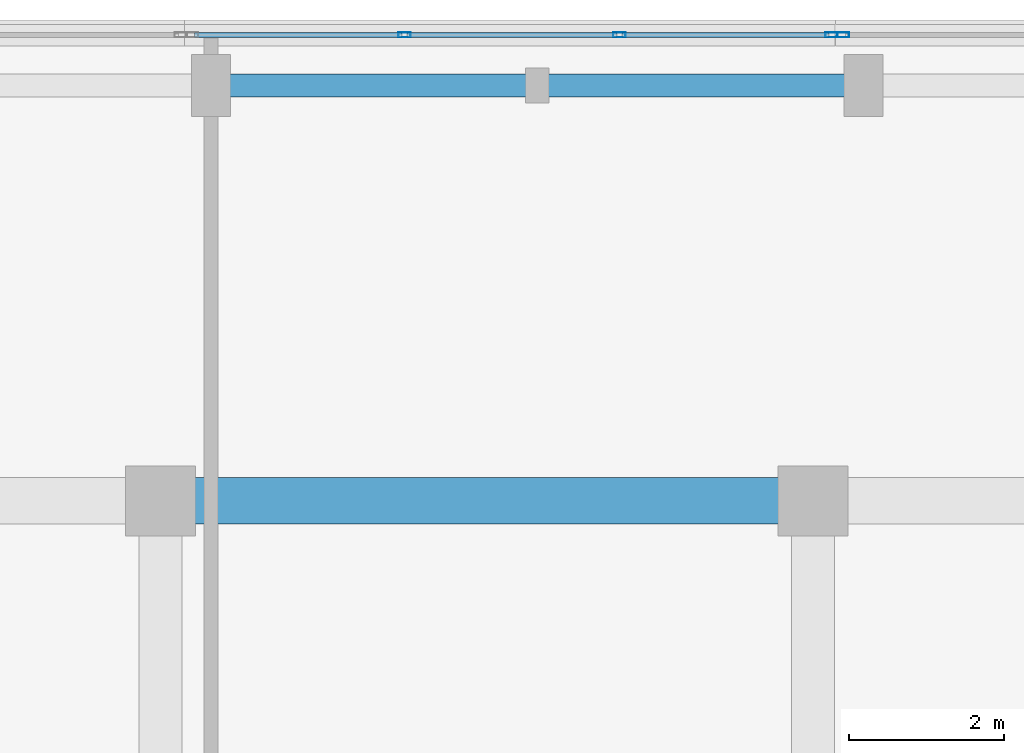
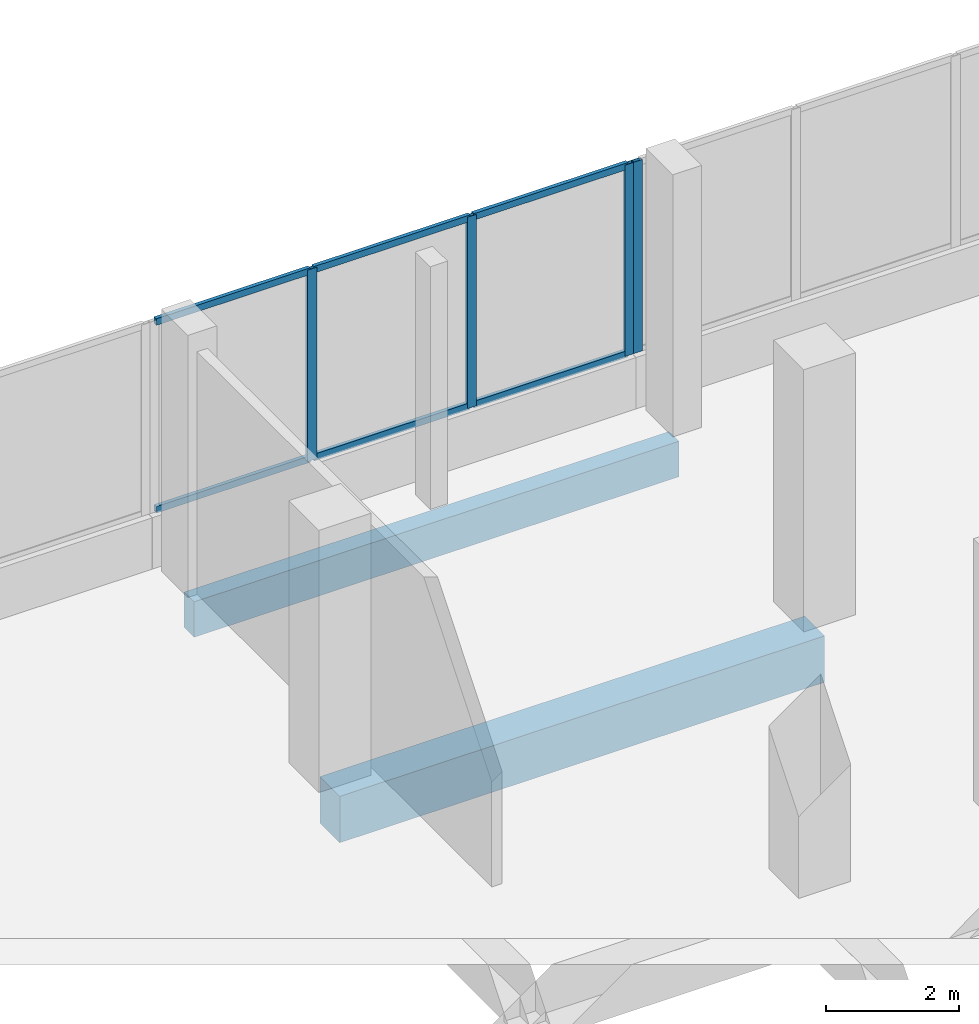
# One storey, part 119 of 168: 10 members, 2 beams, 2 elements without a shape of their own.
"""IFC4 building model written with IfcOpenShell, lengths in metres."""

import ifcopenshell
import ifcopenshell.guid

model = None  # the IFC model being written
_history = None  # IfcOwnerHistory: only IFC2X3 demands one
_inside = {}  # id of a spatial element -> (the spatial element, [elements in it])
_under = {}  # id of a project, library or spatial element -> (it, [spatial elements below it])
_declared = {}  # id of a project -> (the project, [libraries it declares])
_typed = {}  # id of a type object -> (the type object, [elements of that type])
_made_of = {}  # id of a material, layer set ... -> (it, [elements and type objects made of it])


def new_model(schema):
    """Start an empty IFC model of exactly this schema.

    Asked for "IFC4X3", IfcOpenShell would pick the latest addendum, in which some entities
    have other attributes; the version numbers below select the first issue.
    IFC2X3 requires an IfcOwnerHistory on every rooted entity: one is made here for all.
    """
    global model, _history
    if schema == "IFC4X3":
        model = ifcopenshell.file(schema_version=(4, 3, 0, 0))
    else:
        model = ifcopenshell.file(schema=schema)
    _inside.clear()
    _under.clear()
    _declared.clear()
    _typed.clear()
    _made_of.clear()
    _history = None
    if model.schema == "IFC2X3":
        org = make("IfcOrganization", Name="unknown")
        user = make(
            "IfcPersonAndOrganization",
            ThePerson=make("IfcPerson", FamilyName="unknown"),
            TheOrganization=org,
        )
        app = make(
            "IfcApplication",
            ApplicationDeveloper=org,
            Version="unknown",
            ApplicationFullName="unknown",
            ApplicationIdentifier="unknown",
        )
        _history = make(
            "IfcOwnerHistory",
            OwningUser=user,
            OwningApplication=app,
            ChangeAction="ADDED",
            CreationDate=0,
        )
    return model


def make(cls, **values):
    """One entity of the class cls with the attributes given. An attribute that is None is left unset."""
    return model.create_entity(
        cls, **{name: value for name, value in values.items() if value is not None}
    )


def rooted(cls, **values):
    """An entity with a GlobalId (a new one), such as an element, a storey or a relation."""
    return make(cls, GlobalId=ifcopenshell.guid.new(), OwnerHistory=_history, **values)


def si_unit(unit_type, name, prefix=None):
    """IfcSIUnit, for example si_unit("LENGTHUNIT", "METRE", prefix="MILLI")."""
    return make("IfcSIUnit", UnitType=unit_type, Prefix=prefix, Name=name)


def assignment(units):
    """IfcUnitAssignment: the units of a project."""
    return None if units is None else make("IfcUnitAssignment", Units=units)


def point(xyz):
    """IfcCartesianPoint."""
    return None if xyz is None else make("IfcCartesianPoint", Coordinates=xyz)


def direction(xyz):
    """IfcDirection."""
    return None if xyz is None else make("IfcDirection", DirectionRatios=xyz)


def frame(location, z_axis=None, x_axis=None):
    """IfcAxis2Placement3D, a coordinate frame: its origin and axes. An axis left out is left unset."""
    return make(
        "IfcAxis2Placement3D",
        Location=point(location),
        Axis=direction(z_axis),
        RefDirection=direction(x_axis),
    )


def frame_2d(location, x_axis=None):
    """IfcAxis2Placement2D, a coordinate frame in the plane: its origin and x axis."""
    return make(
        "IfcAxis2Placement2D", Location=point(location), RefDirection=direction(x_axis)
    )


def origin():
    """The frame at (0, 0, 0) with its axes left unset."""
    return frame((0.0, 0.0, 0.0))


def origin_2d():
    """The frame at (0, 0) in the plane with its x axis left unset."""
    return frame_2d((0.0, 0.0))


def place(relative_to, where):
    """IfcLocalPlacement: puts the frame where relative to a parent placement (None: the world)."""
    return make(
        "IfcLocalPlacement", PlacementRelTo=relative_to, RelativePlacement=where
    )


def context(
    kind, dimensions, precision=None, world=None, true_north=None, identifier=None
):
    """IfcGeometricRepresentationContext, for example the 3D "Model" context."""
    return make(
        "IfcGeometricRepresentationContext",
        ContextIdentifier=identifier,
        ContextType=kind,
        CoordinateSpaceDimension=dimensions,
        Precision=precision,
        WorldCoordinateSystem=world,
        TrueNorth=true_north,
    )


def subcontext(parent, identifier, kind, view, scale=None):
    """IfcGeometricRepresentationSubContext, for example "Body" below "Model"."""
    return make(
        "IfcGeometricRepresentationSubContext",
        ContextIdentifier=identifier,
        ContextType=kind,
        ParentContext=parent,
        TargetScale=scale,
        TargetView=view,
    )


def project(units=None, contexts=None):
    """IfcProject with its units and contexts."""
    return rooted(
        "IfcProject",
        Name="project",
        RepresentationContexts=contexts,
        UnitsInContext=assignment(units),
    )


def spatial(cls, under=None, at=None, **own):
    """A site, building, storey or space (cls), placed at a placement, below another one or the project."""
    s = rooted(cls, ObjectPlacement=at, **own)
    if under is not None:
        _under.setdefault(under.id(), (under, []))[1].append(s)
    return s


def profile(cls, at=None, kind="AREA", **sizes):
    """A parametric profile (cls). Its sizes go by their IFC names, for example OverallWidth=200.0."""
    return make(cls, ProfileType=kind, Position=at, **sizes)


def rectangle(**sizes):
    """IfcRectangleProfileDef."""
    return profile("IfcRectangleProfileDef", **sizes)


def hollow_rectangle(**sizes):
    """IfcRectangleHollowProfileDef."""
    return profile("IfcRectangleHollowProfileDef", **sizes)


def extrude(swept, where, along, depth):
    """IfcExtrudedAreaSolid: the profile swept, set in the frame where, extruded along a direction by depth."""
    return make(
        "IfcExtrudedAreaSolid",
        SweptArea=swept,
        Position=where,
        ExtrudedDirection=direction(along),
        Depth=depth,
    )


def shape(context_of_items, identifier, shape_type, items):
    """IfcShapeRepresentation: the items that make up one representation, for example the "Body"."""
    return make(
        "IfcShapeRepresentation",
        ContextOfItems=context_of_items,
        RepresentationIdentifier=identifier,
        RepresentationType=shape_type,
        Items=items,
    )


def material(Name=None, Category=None):
    """IfcMaterial."""
    return make("IfcMaterial", Name=Name, Category=Category)


def material_profile(
    of_material, cross_section, Name=None, Category=None, Priority=None
):
    """IfcMaterialProfile: a cross section and its material."""
    return make(
        "IfcMaterialProfile",
        Name=Name,
        Material=of_material,
        Profile=cross_section,
        Priority=Priority,
        Category=Category,
    )


def profile_set(profiles, Name=None, composite=None):
    """IfcMaterialProfileSet."""
    return make(
        "IfcMaterialProfileSet",
        Name=Name,
        MaterialProfiles=profiles,
        CompositeProfile=composite,
    )


def made_of(thing, what):
    """Note that an element or type object is made of a material, layer set ...; save() writes the relation."""
    if what is not None:
        _made_of.setdefault(what.id(), (what, []))[1].append(thing)
    return thing


def type_object(cls, material=None, **own):
    """A type object (cls), such as IfcWallType, which elements share."""
    return made_of(rooted(cls, **own), material)


def element(
    cls,
    number,
    at=None,
    inside=None,
    cuts=None,
    type_object=None,
    material=None,
    context=None,
    identifier="Body",
    shape_type=None,
    held_by="IfcProductDefinitionShape",
    body=None,
    shapes=None,
    **own,
):
    """One element of the class cls, such as IfcWall. Its Tag is "e" and its number.

    at: its placement. inside: the storey or other place that contains it. cuts: it is an
    opening in that element (IfcRelVoidsElement). A single representation is given by context,
    identifier, shape_type and body (its items); several are given by shapes. held_by: the class
    of the entity that holds the representations. save() writes the other relations.
    """
    e = rooted(cls, Tag="e%d" % number, ObjectPlacement=at, **own)
    if body is not None:
        shapes = [shape(context, identifier, shape_type, body)]
    if shapes is not None:
        e.Representation = make(held_by, Representations=shapes)
    if inside is not None:
        _inside.setdefault(inside.id(), (inside, []))[1].append(e)
    if cuts is not None:
        rooted(
            "IfcRelVoidsElement", RelatingBuildingElement=cuts, RelatedOpeningElement=e
        )
    if type_object is not None:
        _typed.setdefault(type_object.id(), (type_object, []))[1].append(e)
    return made_of(e, material)


def aggregate(whole, parts):
    """IfcRelAggregates: a whole, such as a stair, and the parts it consists of."""
    return rooted("IfcRelAggregates", RelatingObject=whole, RelatedObjects=parts)


def save(model, path):
    """Write the relations noted so far, then the file.

    IfcRelAggregates (storeys below a building ...), IfcRelContainedInSpatialStructure (elements
    in a storey), IfcRelDefinesByType, IfcRelAssociatesMaterial and IfcRelDeclares: one each for
    every whole, place, type object, material and project.
    """
    for whole, parts in _under.values():
        aggregate(whole, parts)
    for where, things in _inside.values():
        rooted(
            "IfcRelContainedInSpatialStructure",
            RelatedElements=things,
            RelatingStructure=where,
        )
    for kind, things in _typed.values():
        rooted("IfcRelDefinesByType", RelatedObjects=things, RelatingType=kind)
    for what, things in _made_of.values():
        rooted("IfcRelAssociatesMaterial", RelatedObjects=things, RelatingMaterial=what)
    for by, libraries in _declared.values():
        rooted("IfcRelDeclares", RelatingContext=by, RelatedDefinitions=libraries)
    model.write(path)


model = new_model("IFC4")

# Units and contexts
model_context = context("Model", 3, precision=1e-05, world=origin(), true_north=direction((0.0, 1.0)))
body_context = subcontext(model_context, "Body", "Model", "MODEL_VIEW")
ifc_project = project(units=[si_unit("LENGTHUNIT", "METRE"), si_unit("AREAUNIT", "SQUARE_METRE"), si_unit("VOLUMEUNIT", "CUBIC_METRE"), si_unit("PLANEANGLEUNIT", "RADIAN"), si_unit("MASSUNIT", "GRAM", prefix="KILO")], contexts=[model_context])

# Site, building, storey
site_placement = place(None, origin())
site = spatial("IfcSite", under=ifc_project, at=site_placement, CompositionType="ELEMENT")
building_placement = place(site_placement, origin())
building = spatial("IfcBuilding", under=site, at=building_placement, Name="Selatvlak General Hospital", CompositionType="ELEMENT")
storey_placement = place(building_placement, frame((0.0, 0.0, 5.39990234375)))
storey = spatial("IfcBuildingStorey", under=building, at=storey_placement, Name="L01", CompositionType="ELEMENT", Elevation=5.39990234375)

# Beams
ifc_material_1 = material(Name="Concrete C40/50", Category="concrete")
ifc_material_profile_1 = material_profile(ifc_material_1, rectangle(XDim=0.60009765625, YDim=0.85009765625, at=origin_2d()), Name="RC-BM 600x850")
ifc_profile_set_1 = profile_set([ifc_material_profile_1], Name="Concrete C40/50")
beam_type_1 = type_object("IfcBeamType", Name="BM-G01", PredefinedType="BEAM", material=ifc_profile_set_1)
beam_1_placement = place(storey_placement, frame((156.550048828125, 114.0, -0.744873046875), z_axis=(1.0, 0.0, 0.0), x_axis=(0.0, 1.0, 0.0)))
element("IfcBeam", 1, at=beam_1_placement, inside=storey, type_object=beam_type_1, Name="Beam BMR-L01-0521", PredefinedType="BEAM", context=body_context, shape_type="SweptSolid", body=[
    extrude(rectangle(XDim=0.60009765625, YDim=0.85009765625, at=origin_2d()), origin(), (0.0, 0.0, 1.0), 8.39990234375),
])
ifc_material_profile_2 = material_profile(ifc_material_1, rectangle(XDim=0.300048828125, YDim=0.64990234375, at=origin_2d()), Name="RC-SP 300x650")
ifc_profile_set_2 = profile_set([ifc_material_profile_2], Name="Concrete C40/50")
beam_type_2 = type_object("IfcBeamType", Name="BM-SP1", PredefinedType="SPANDREL", material=ifc_profile_set_2)
beam_2_placement = place(storey_placement, frame((157.199951171875, 119.35009765625, -0.64501953125), z_axis=(1.0, 0.0, 0.0), x_axis=(0.0, 1.0, 0.0)))
element("IfcBeam", 2, at=beam_2_placement, inside=storey, type_object=beam_type_2, Name="Beam BMR-L01-0537", PredefinedType="SPANDREL", context=body_context, shape_type="SweptSolid", body=[
    extrude(rectangle(XDim=0.300048828125, YDim=0.64990234375, at=origin_2d()), origin(), (0.0, 0.0, 1.0), 8.400146484375),
])

# Curtain wall, members
ifc_material_2 = material(Name="Solar-control Low-E double glazing", Category="glass")
curtain_wall_type_1 = type_object("IfcCurtainWallType", Name="CW-CW-02", PredefinedType="USERDEFINED", material=ifc_material_2)
curtain_wall_1_placement = place(storey_placement, origin())
curtain_wall_1 = element("IfcCurtainWall", 3, at=curtain_wall_1_placement, inside=storey, type_object=curtain_wall_type_1, Name="Glazed facade curtain wall CW-L01-0129", ObjectType="UNITISED CURTAIN WALL", PredefinedType="USERDEFINED")
ifc_material_3 = material(Name="Dark anodised aluminium mullion", Category="aluminium")
ifc_material_profile_3 = material_profile(ifc_material_3, hollow_rectangle(XDim=0.06494140625, YDim=0.159912109375, WallThickness=0.00390625, at=origin_2d()), Name="AL-MUL 65x160x4")
ifc_profile_set_3 = profile_set([ifc_material_profile_3], Name="Dark anodised aluminium mullion")
member_type_1 = type_object("IfcMemberType", Name="CWM-01", PredefinedType="MULLION", material=ifc_profile_set_3)
member_1_placement = place(storey_placement, frame((159.690673828125, 120.0, 0.940185546875), z_axis=(0.0, 0.0, 1.0), x_axis=(0.0, 1.0, 0.0)))
member_1 = element("IfcMember", 4, at=member_1_placement, type_object=member_type_1, Name="CW-02 mullion 2", PredefinedType="MULLION", context=body_context, shape_type="SweptSolid", body=[
    extrude(hollow_rectangle(XDim=0.06494140625, YDim=0.159912109375, WallThickness=0.00390625, at=origin_2d()), origin(), (0.0, 0.0, 1.0), 3.5048828125),
])
member_2_placement = place(storey_placement, frame((162.457275390625, 120.0, 0.940185546875), z_axis=(0.0, 0.0, 1.0), x_axis=(0.0, 1.0, 0.0)))
member_2 = element("IfcMember", 5, at=member_2_placement, type_object=member_type_1, Name="CW-02 mullion 3", PredefinedType="MULLION", context=body_context, shape_type="SweptSolid", body=[
    extrude(hollow_rectangle(XDim=0.06494140625, YDim=0.159912109375, WallThickness=0.00390625, at=origin_2d()), origin(), (0.0, 0.0, 1.0), 3.5048828125),
])
member_3_placement = place(storey_placement, frame((165.19140625, 120.0, 0.940185546875), z_axis=(0.0, 0.0, 1.0), x_axis=(0.0, 1.0, 0.0)))
member_3 = element("IfcMember", 6, at=member_3_placement, type_object=member_type_1, Name="CW-02 mullion 4", PredefinedType="MULLION", context=body_context, shape_type="SweptSolid", body=[
    extrude(hollow_rectangle(XDim=0.06494140625, YDim=0.159912109375, WallThickness=0.00390625, at=origin_2d()), origin(), (0.0, 0.0, 1.0), 3.5048828125),
])

# Curtain wall, member
curtain_wall_type_2 = type_object("IfcCurtainWallType", Name="CW-CW-01", PredefinedType="USERDEFINED", material=ifc_material_2)
curtain_wall_2_placement = place(storey_placement, origin())
curtain_wall_2 = element("IfcCurtainWall", 7, at=curtain_wall_2_placement, inside=storey, type_object=curtain_wall_type_2, Name="Glazed facade curtain wall CW-L01-0130", ObjectType="UNITISED CURTAIN WALL", PredefinedType="USERDEFINED")
member_4_placement = place(storey_placement, frame((165.33642578125, 120.0, 0.940185546875), z_axis=(0.0, 0.0, 1.0), x_axis=(0.0, 1.0, 0.0)))
member_4 = element("IfcMember", 8, at=member_4_placement, type_object=member_type_1, Name="CW-01 mullion 1", PredefinedType="MULLION", context=body_context, shape_type="SweptSolid", body=[
    extrude(hollow_rectangle(XDim=0.06494140625, YDim=0.159912109375, WallThickness=0.00390625, at=origin_2d()), origin(), (0.0, 0.0, 1.0), 3.5048828125),
])
aggregate(curtain_wall_2, [member_4])

# Member
ifc_material_profile_4 = material_profile(ifc_material_3, hollow_rectangle(XDim=0.06494140625, YDim=0.1201171875, WallThickness=0.00390625, at=origin_2d()), Name="AL-TRN 65x120x4")
ifc_profile_set_4 = profile_set([ifc_material_profile_4], Name="Dark anodised aluminium mullion")
member_type_2 = type_object("IfcMemberType", Name="CWT-01", PredefinedType="USERDEFINED", material=ifc_profile_set_4)
member_5_placement = place(storey_placement, frame((156.989013671875, 120.0, 0.97265625), z_axis=(1.0, 0.0, 0.0), x_axis=(0.0, 1.0, 0.0)))
member_5 = element("IfcMember", 9, at=member_5_placement, type_object=member_type_2, Name="CW-02 transom 1.1", ObjectType="TRANSOM", PredefinedType="USERDEFINED", context=body_context, shape_type="SweptSolid", body=[
    extrude(hollow_rectangle(XDim=0.06494140625, YDim=0.1201171875, WallThickness=0.00390625, at=origin_2d()), origin(), (0.0, 0.0, 1.0), 2.669189453125),
])

member_6_placement = place(storey_placement, frame((156.989013671875, 120.0, 4.41259765625), z_axis=(1.0, 0.0, 0.0), x_axis=(0.0, 1.0, 0.0)))
member_6 = element("IfcMember", 10, at=member_6_placement, type_object=member_type_2, Name="CW-02 transom 1.2", ObjectType="TRANSOM", PredefinedType="USERDEFINED", context=body_context, shape_type="SweptSolid", body=[
    extrude(hollow_rectangle(XDim=0.06494140625, YDim=0.1201171875, WallThickness=0.00390625, at=origin_2d()), origin(), (0.0, 0.0, 1.0), 2.669189453125),
])

member_7_placement = place(storey_placement, frame((159.72314453125, 120.0, 0.97265625), z_axis=(1.0, 0.0, 0.0), x_axis=(0.0, 1.0, 0.0)))
member_7 = element("IfcMember", 11, at=member_7_placement, type_object=member_type_2, Name="CW-02 transom 2.1", ObjectType="TRANSOM", PredefinedType="USERDEFINED", context=body_context, shape_type="SweptSolid", body=[
    extrude(hollow_rectangle(XDim=0.06494140625, YDim=0.1201171875, WallThickness=0.00390625, at=origin_2d()), origin(), (0.0, 0.0, 1.0), 2.70166015625),
])

member_8_placement = place(storey_placement, frame((159.72314453125, 120.0, 4.41259765625), z_axis=(1.0, 0.0, 0.0), x_axis=(0.0, 1.0, 0.0)))
member_8 = element("IfcMember", 12, at=member_8_placement, type_object=member_type_2, Name="CW-02 transom 2.2", ObjectType="TRANSOM", PredefinedType="USERDEFINED", context=body_context, shape_type="SweptSolid", body=[
    extrude(hollow_rectangle(XDim=0.06494140625, YDim=0.1201171875, WallThickness=0.00390625, at=origin_2d()), origin(), (0.0, 0.0, 1.0), 2.70166015625),
])

member_9_placement = place(storey_placement, frame((162.48974609375, 120.0, 0.97265625), z_axis=(1.0, 0.0, 0.0), x_axis=(0.0, 1.0, 0.0)))
member_9 = element("IfcMember", 13, at=member_9_placement, type_object=member_type_2, Name="CW-02 transom 3.1", ObjectType="TRANSOM", PredefinedType="USERDEFINED", context=body_context, shape_type="SweptSolid", body=[
    extrude(hollow_rectangle(XDim=0.06494140625, YDim=0.1201171875, WallThickness=0.00390625, at=origin_2d()), origin(), (0.0, 0.0, 1.0), 2.669189453125),
])

member_10_placement = place(storey_placement, frame((162.48974609375, 120.0, 4.41259765625), z_axis=(1.0, 0.0, 0.0), x_axis=(0.0, 1.0, 0.0)))
member_10 = element("IfcMember", 14, at=member_10_placement, type_object=member_type_2, Name="CW-02 transom 3.2", ObjectType="TRANSOM", PredefinedType="USERDEFINED", context=body_context, shape_type="SweptSolid", body=[
    extrude(hollow_rectangle(XDim=0.06494140625, YDim=0.1201171875, WallThickness=0.00390625, at=origin_2d()), origin(), (0.0, 0.0, 1.0), 2.669189453125),
])

aggregate(curtain_wall_1, [member_1, member_2, member_3, member_5, member_6, member_7, member_8, member_9, member_10])

save(model, "model.ifc")
